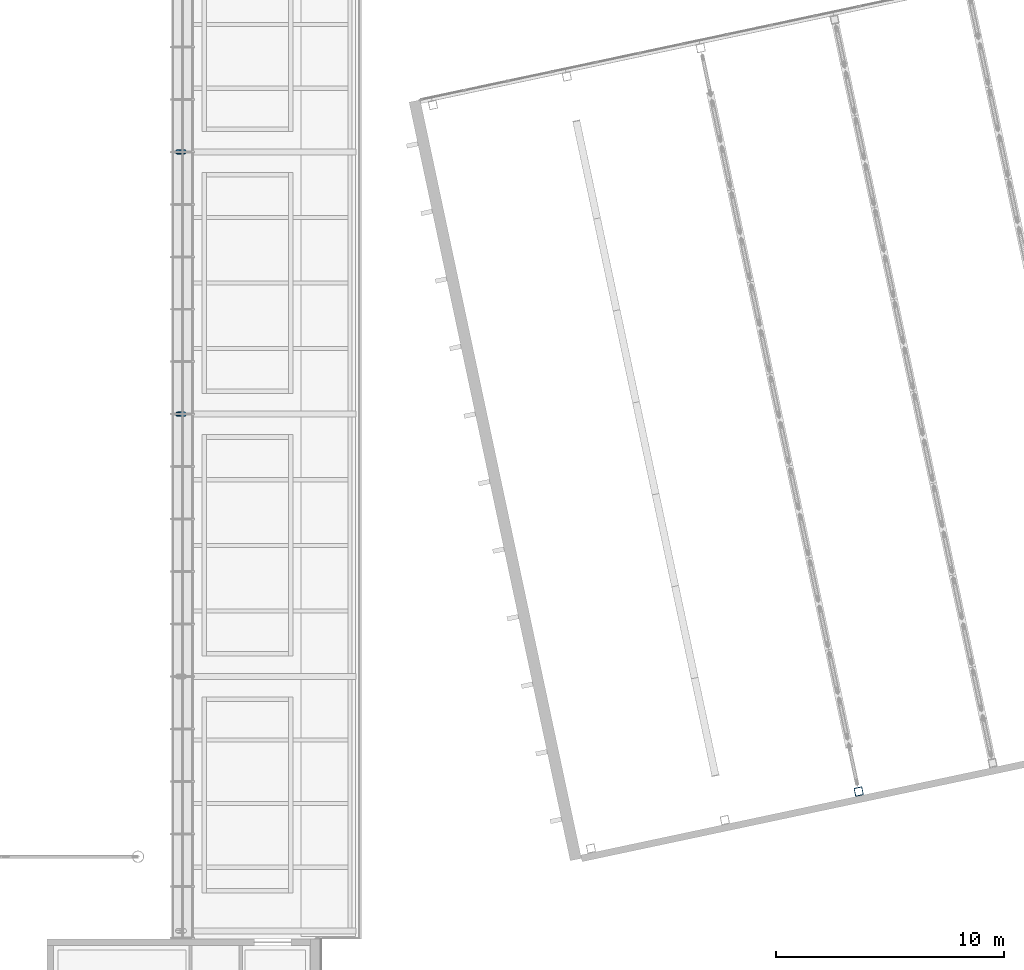
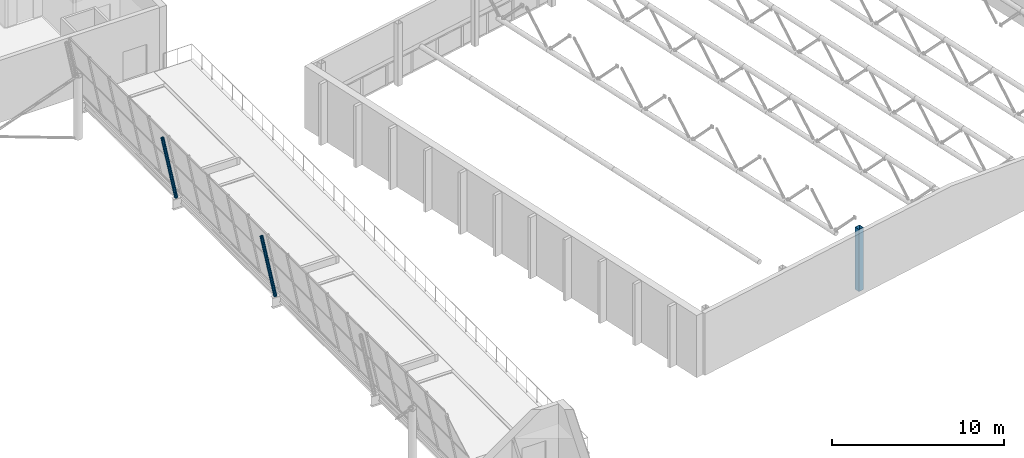
# One storey, part 5 of 58: 3 columns.
"""IFC4 building model written with IfcOpenShell, lengths in metres."""

from ifc_helpers import new_model, si_unit, direction, frame, origin, origin_2d, place, context, subcontext, project, spatial, hollow_rectangle, hollow_circle, extrude, material, material_profile, profile_set, type_object, element, save


model = new_model("IFC4")

# Units and contexts
model_context = context("Model", 3, precision=1e-05, world=origin(), true_north=direction((0.0, 1.0)))
body_context = subcontext(model_context, "Body", "Model", "MODEL_VIEW")
ifc_project = project(units=[si_unit("LENGTHUNIT", "METRE"), si_unit("AREAUNIT", "SQUARE_METRE"), si_unit("VOLUMEUNIT", "CUBIC_METRE"), si_unit("PLANEANGLEUNIT", "RADIAN"), si_unit("MASSUNIT", "GRAM", prefix="KILO")], contexts=[model_context])

# Site, building, storey
site_placement = place(None, origin())
site = spatial("IfcSite", under=ifc_project, at=site_placement, CompositionType="ELEMENT")
building_placement = place(site_placement, origin())
building = spatial("IfcBuilding", under=site, at=building_placement, Name="Windward Yard Aquatics Centre", CompositionType="ELEMENT")
storey_placement = place(building_placement, frame((0.0, 0.0, 13.800048828125)))
storey = spatial("IfcBuildingStorey", under=building, at=storey_placement, Name="L03", CompositionType="ELEMENT", Elevation=13.800048828125)

# Columns
ifc_material = material(Name="Steel ASTM A500 Gr C", Category="steel")
ifc_material_profile_1 = material_profile(ifc_material, hollow_rectangle(XDim=0.355712890625, YDim=0.355712890625, WallThickness=0.015869140625, InnerFilletRadius=0.008056640625, OuterFilletRadius=0.02392578125, at=origin_2d()), Name="HSS356X356X15.9")
ifc_profile_set_1 = profile_set([ifc_material_profile_1], Name="Steel ASTM A500 Gr C")
column_type_1 = type_object("IfcColumnType", Name="D column HSS356X356X15.9", PredefinedType="COLUMN", material=ifc_profile_set_1)
column_placement = place(storey_placement, frame((175.594970703125, 44.45654296875, 0.0), z_axis=(0.0, 0.0, 1.0), x_axis=(0.978147600734, 0.207911690818, 0.0)))
element("IfcColumn", 1, at=column_placement, inside=storey, type_object=column_type_1, Name="D.COL.3.1.5", PredefinedType="COLUMN", context=body_context, shape_type="SweptSolid", body=[
    extrude(hollow_rectangle(XDim=0.355712890625, YDim=0.355712890625, WallThickness=0.015869140625, InnerFilletRadius=0.008056640625, OuterFilletRadius=0.02392578125, at=origin_2d()), origin(), (0.0, 0.0, 1.0), 4.39990234375),
])
ifc_material_profile_2 = material_profile(ifc_material, hollow_circle(Radius=0.109619140625, WallThickness=0.0126953125, at=origin_2d()), Name="HSS219.1X12.7")
ifc_profile_set_2 = profile_set([ifc_material_profile_2], Name="Steel ASTM A500 Gr C")
column_type_2 = type_object("IfcColumnType", Name="H tier 2 leg HSS219.1X12.7", PredefinedType="COLUMN", material=ifc_profile_set_2)
for number, where, z_axis, x_axis, name in (
    (2, (146.016357421875, 61.0, -0.128173828125), (-0.199346128659, 0.0, 0.9799291408), (0.0, -1.0, 0.0), "H.TL.E3.T2A.L03"),
    (3, (146.016357421875, 72.5, -0.128173828125), (-0.199346128659, 0.0, 0.9799291408), (0.0, -1.0, 0.0), "H.TL.E4.T2A.L03"),
):
    element("IfcColumn", number, at=place(storey_placement, frame(where, z_axis=z_axis, x_axis=x_axis)), inside=storey, type_object=column_type_2, Name=name, PredefinedType="COLUMN", context=body_context, shape_type="SweptSolid", body=[
        extrude(hollow_circle(Radius=0.109619140625, WallThickness=0.0126953125, at=origin_2d()), origin(), (0.0, 0.0, 1.0), 4.620849609375),
    ])

save(model, "model.ifc")
